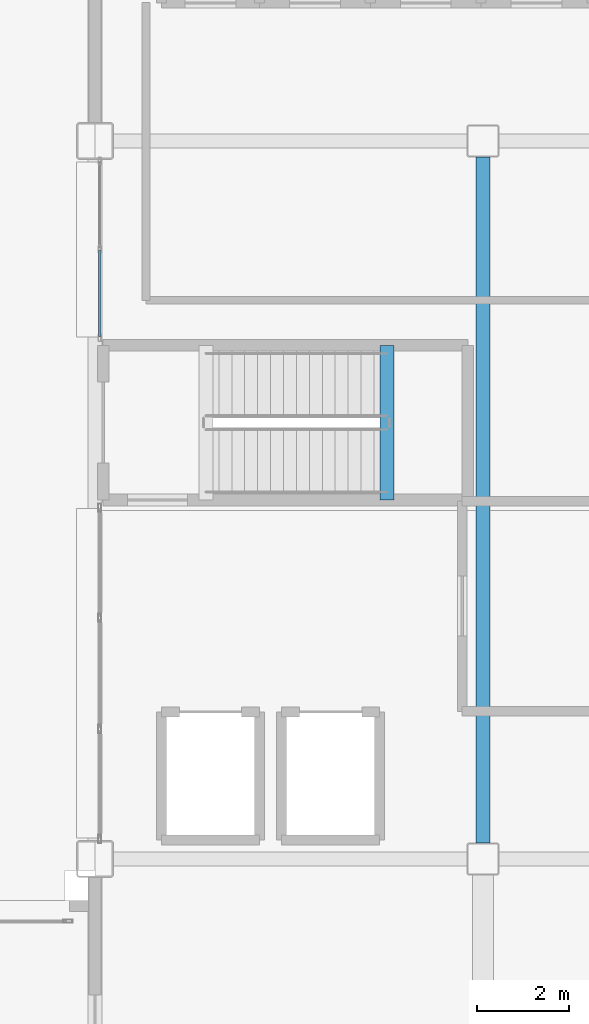
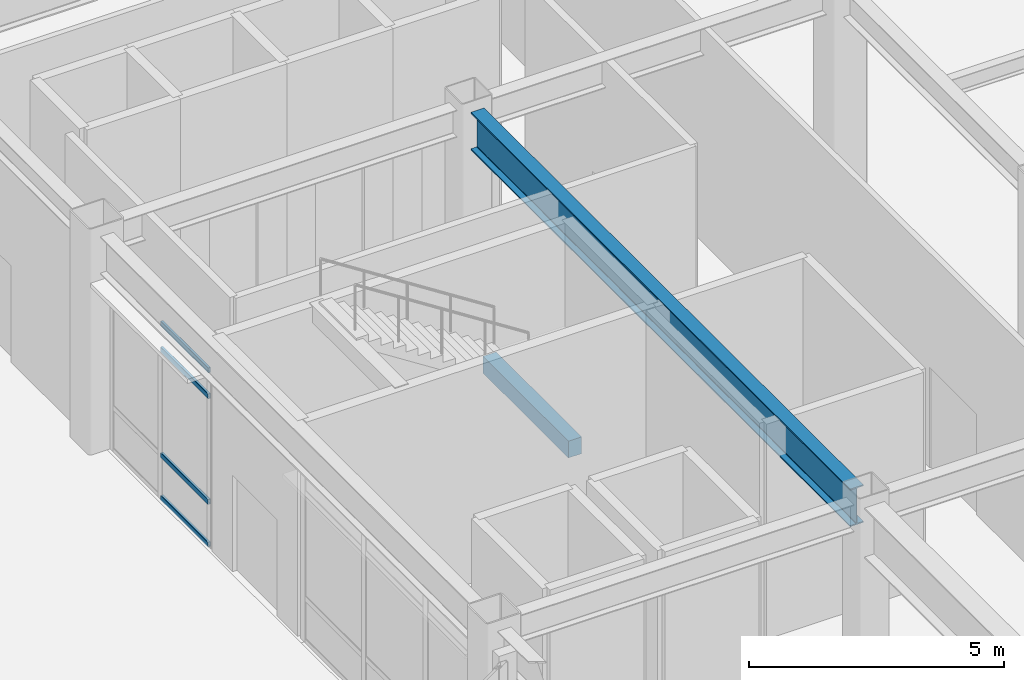
# One storey, part 98 of 165: 4 members, 2 beams, 1 element without a shape of its own.
"""IFC4 building model written with IfcOpenShell, lengths in metres."""

from ifc_helpers import new_model, si_unit, direction, frame, origin, origin_2d, place, context, subcontext, project, spatial, rectangle, hollow_rectangle, i_section, extrude, material, layer, layer_set, material_profile, profile_set, type_object, element, aggregate, save


model = new_model("IFC4")

# Units and contexts
model_context = context("Model", 3, precision=1e-05, world=origin(), true_north=direction((0.0, 1.0)))
body_context = subcontext(model_context, "Body", "Model", "MODEL_VIEW")
ifc_project = project(units=[si_unit("LENGTHUNIT", "METRE"), si_unit("AREAUNIT", "SQUARE_METRE"), si_unit("VOLUMEUNIT", "CUBIC_METRE"), si_unit("PLANEANGLEUNIT", "RADIAN"), si_unit("MASSUNIT", "GRAM", prefix="KILO")], contexts=[model_context])

# Site, building, storey
site_placement = place(None, origin())
site = spatial("IfcSite", under=ifc_project, at=site_placement, CompositionType="ELEMENT")
building_placement = place(site_placement, origin())
building = spatial("IfcBuilding", under=site, at=building_placement, Name="Kazehara Bluff Congress Hotel", CompositionType="ELEMENT")
storey_placement = place(building_placement, origin())
storey = spatial("IfcBuildingStorey", under=building, at=storey_placement, Name="L00", CompositionType="ELEMENT", Elevation=0.0)

# Curtain wall, members
ifc_material_1 = material(Name="Anodised aluminium", Category="aluminium")
ifc_layer = layer(ifc_material_1, 0.159912109375)
ifc_layer_set = layer_set([ifc_layer], Name="Anodised aluminium")
curtain_wall_type = type_object("IfcCurtainWallType", Name="TP-CW-102", PredefinedType="NOTDEFINED", material=ifc_layer_set)
curtain_wall_placement = place(storey_placement, origin())
curtain_wall = element("IfcCurtainWall", 1, at=curtain_wall_placement, inside=storey, type_object=curtain_wall_type, Name="L00 curtain wall CW-102 CW-ENC-V5-L00-14380-5410", PredefinedType="NOTDEFINED")
ifc_material_2 = material(Name="Anodised aluminium", Category="aluminium")
ifc_material_profile_1 = material_profile(ifc_material_2, hollow_rectangle(XDim=0.06005859375, YDim=0.1201171875, WallThickness=0.00390625, InnerFilletRadius=0.00390625, OuterFilletRadius=0.008056640625, at=origin_2d()))
ifc_profile_set_1 = profile_set([ifc_material_profile_1], Name="Anodised aluminium")
member_type = type_object("IfcMemberType", Name="TP-CWT-01", PredefinedType="USERDEFINED", material=ifc_profile_set_1)
member_1_placement = place(storey_placement, frame((143.800048828125, 52.219970703125, 0.030029296875), z_axis=(0.0, 1.0, 0.0), x_axis=(-1.0, 0.0, 0.0)))
member_1 = element("IfcMember", 2, at=member_1_placement, type_object=member_type, Name="CW-102 transom 1.1", ObjectType="TRANSOM", PredefinedType="USERDEFINED", context=body_context, shape_type="SweptSolid", body=[
    extrude(hollow_rectangle(XDim=0.06005859375, YDim=0.1201171875, WallThickness=0.00390625, InnerFilletRadius=0.00390625, OuterFilletRadius=0.008056640625, at=origin_2d()), origin(), (0.0, 0.0, 1.0), 1.85498046875),
])
member_2_placement = place(storey_placement, frame((143.800048828125, 52.219970703125, 1.050048828125), z_axis=(0.0, 1.0, 0.0), x_axis=(-1.0, 0.0, 0.0)))
member_2 = element("IfcMember", 3, at=member_2_placement, type_object=member_type, Name="CW-102 transom 1.2", ObjectType="TRANSOM", PredefinedType="USERDEFINED", context=body_context, shape_type="SweptSolid", body=[
    extrude(hollow_rectangle(XDim=0.06005859375, YDim=0.1201171875, WallThickness=0.00390625, InnerFilletRadius=0.00390625, OuterFilletRadius=0.008056640625, at=origin_2d()), origin(), (0.0, 0.0, 1.0), 1.85498046875),
])
member_3_placement = place(storey_placement, frame((143.800048828125, 52.219970703125, 3.574951171875), z_axis=(0.0, 1.0, 0.0), x_axis=(-1.0, 0.0, 0.0)))
member_3 = element("IfcMember", 4, at=member_3_placement, type_object=member_type, Name="CW-102 transom 1.3", ObjectType="TRANSOM", PredefinedType="USERDEFINED", context=body_context, shape_type="SweptSolid", body=[
    extrude(hollow_rectangle(XDim=0.06005859375, YDim=0.1201171875, WallThickness=0.00390625, InnerFilletRadius=0.00390625, OuterFilletRadius=0.008056640625, at=origin_2d()), origin(), (0.0, 0.0, 1.0), 1.85498046875),
])
member_4_placement = place(storey_placement, frame((143.800048828125, 52.219970703125, 4.195068359375), z_axis=(0.0, 1.0, 0.0), x_axis=(-1.0, 0.0, 0.0)))
member_4 = element("IfcMember", 5, at=member_4_placement, type_object=member_type, Name="CW-102 transom 1.4", ObjectType="TRANSOM", PredefinedType="USERDEFINED", context=body_context, shape_type="SweptSolid", body=[
    extrude(hollow_rectangle(XDim=0.06005859375, YDim=0.1201171875, WallThickness=0.00390625, InnerFilletRadius=0.00390625, OuterFilletRadius=0.008056640625, at=origin_2d()), origin(), (0.0, 0.0, 1.0), 1.85498046875),
])
aggregate(curtain_wall, [member_1, member_2, member_3, member_4])

# Beams
ifc_material_3 = material(Name="Steel SN490B", Category="steel")
ifc_material_profile_2 = material_profile(ifc_material_3, i_section(OverallWidth=0.300048828125, OverallDepth=0.89990234375, WebThickness=0.01611328125, FlangeThickness=0.028076171875, FilletRadius=0.01806640625, at=origin_2d()))
ifc_profile_set_2 = profile_set([ifc_material_profile_2], Name="Steel SN490B")
beam_type_1 = type_object("IfcBeamType", Name="TP-G-08", PredefinedType="BEAM", material=ifc_profile_set_2)
beam_1_placement = place(storey_placement, frame((152.10009765625, 41.25, 4.699951171875), z_axis=(0.0, 1.0, 0.0), x_axis=(-1.0, 0.0, 0.0)))
element("IfcBeam", 6, at=beam_1_placement, inside=storey, type_object=beam_type_1, Name="L00 girder G-08 245", PredefinedType="BEAM", context=body_context, shape_type="SweptSolid", body=[
    extrude(i_section(OverallWidth=0.300048828125, OverallDepth=0.89990234375, WebThickness=0.01611328125, FlangeThickness=0.028076171875, FilletRadius=0.01806640625, at=origin_2d()), origin(), (0.0, 0.0, 1.0), 14.85009765625),
])
ifc_material_4 = material(Name="Concrete C40/50", Category="concrete")
ifc_material_profile_3 = material_profile(ifc_material_4, rectangle(XDim=0.300048828125, YDim=0.39990234375, at=origin_2d()))
ifc_profile_set_3 = profile_set([ifc_material_profile_3], Name="Concrete C40/50")
beam_type_2 = type_object("IfcBeamType", Name="TP-LN-02", PredefinedType="LINTEL", material=ifc_profile_set_3)
beam_2_placement = place(storey_placement, frame((150.02001953125, 48.675048828125, 2.320068359375), z_axis=(0.0, 1.0, 0.0), x_axis=(-1.0, 0.0, 0.0)))
element("IfcBeam", 7, at=beam_2_placement, inside=storey, type_object=beam_type_2, Name="L00 ST-11 half-landing support beam 1", PredefinedType="LINTEL", context=body_context, shape_type="SweptSolid", body=[
    extrude(rectangle(XDim=0.300048828125, YDim=0.39990234375, at=origin_2d()), origin(), (0.0, 0.0, 1.0), 3.349853515625),
])

save(model, "model.ifc")
